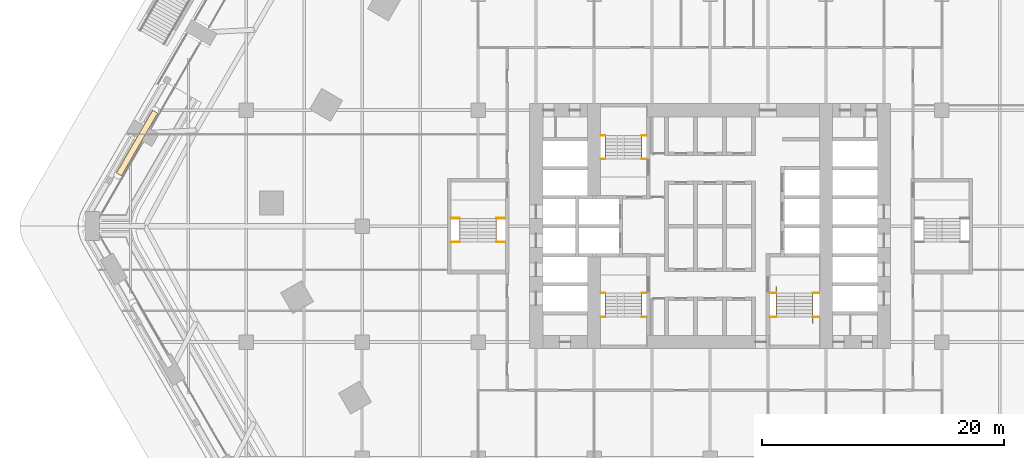
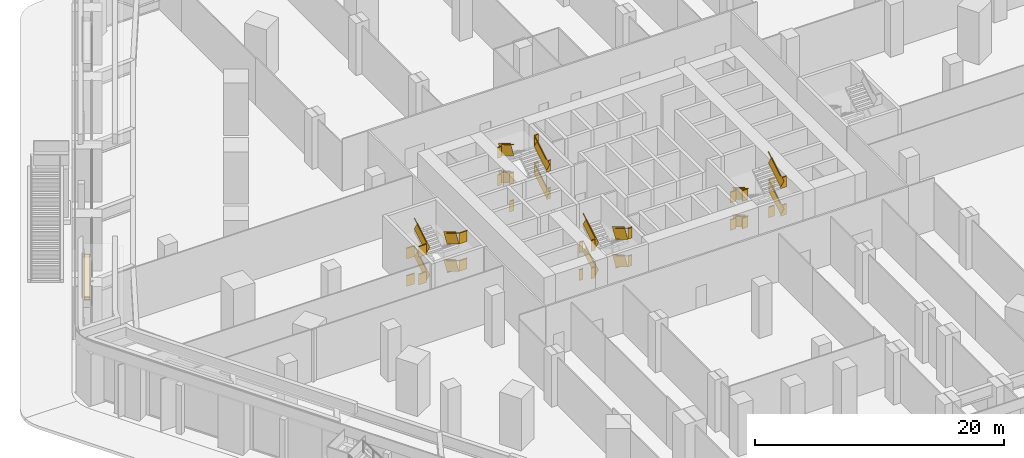
# One storey, part 30 of 34: 8 railings, 1 covering.
"""IFC4 building model written with IfcOpenShell, lengths in metres."""

from ifc_helpers import new_model, si_unit, direction, frame, frame_2d, origin, origin_2d, place, context, subcontext, project, spatial, polyline, rectangle, outline, extrude, material, layer, layer_set, type_object, element, save


model = new_model("IFC4")

# Units and contexts
model_context = context("Model", 3, precision=1e-05, world=origin(), true_north=direction((0.0, 1.0)))
body_context = subcontext(model_context, "Body", "Model", "MODEL_VIEW")
ifc_project = project(units=[si_unit("LENGTHUNIT", "METRE"), si_unit("AREAUNIT", "SQUARE_METRE"), si_unit("VOLUMEUNIT", "CUBIC_METRE"), si_unit("PLANEANGLEUNIT", "RADIAN"), si_unit("MASSUNIT", "GRAM", prefix="KILO")], contexts=[model_context])

# Site, building, storey
site_placement = place(None, origin())
site = spatial("IfcSite", under=ifc_project, at=site_placement, CompositionType="ELEMENT")
building_placement = place(site_placement, origin())
building = spatial("IfcBuilding", under=site, at=building_placement, Name="Kolab Exchange Tower", CompositionType="ELEMENT")
storey_placement = place(building_placement, frame((0.0, 0.0, 7.0)))
storey = spatial("IfcBuildingStorey", under=building, at=storey_placement, Name="L01", CompositionType="ELEMENT", Elevation=7.0)

# Railings
ifc_material_1 = material(Name="Stainless steel 316", Category="steel")
railing_type = type_object("IfcRailingType", Name="GUARD 1100", PredefinedType="GUARDRAIL", material=ifc_material_1)
railing_1_placement = place(storey_placement, frame((-9.050048828125, 5.550048828125, 0.0)))
element("IfcRailing", 1, at=railing_1_placement, inside=storey, type_object=railing_type, Name="Guard ST1", PredefinedType="GUARDRAIL", context=body_context, shape_type="SweptSolid", body=[
    extrude(rectangle(XDim=0.05, YDim=0.05, at=origin_2d()), frame((0.0, 0.0, 1.0751953125), z_axis=(1.0, 0.0, 0.0), x_axis=(0.0, 1.0, 0.0)), (0.0, 0.0, 1.0), 0.39013671875),
    extrude(rectangle(XDim=0.012, YDim=1.05009765625, at=frame_2d((0.0, 0.525146484375))), frame((0.0, 0.0, 0.0), z_axis=(1.0, 0.0, 0.0), x_axis=(0.0, 1.0, 0.0)), (0.0, 0.0, 1.0), 0.39013671875),
    extrude(rectangle(XDim=0.05, YDim=0.05, at=origin_2d()), frame((3.41015625, 0.0, 1.0751953125), z_axis=(1.0, 0.0, 0.0), x_axis=(0.0, 1.0, 0.0)), (0.0, 0.0, 1.0), 0.389892578125),
    extrude(rectangle(XDim=0.012, YDim=1.05009765625, at=frame_2d((0.0, 0.525146484375))), frame((3.41015625, 0.0, 0.0), z_axis=(1.0, 0.0, 0.0), x_axis=(0.0, 1.0, 0.0)), (0.0, 0.0, 1.0), 0.389892578125),
    extrude(rectangle(XDim=0.05, YDim=0.05, at=origin_2d()), frame((0.0, 1.9599609375, 2.42529296875), z_axis=(1.0, 0.0, 0.0), x_axis=(0.0, 1.0, 0.0)), (0.0, 0.0, 1.0), 0.39013671875),
    extrude(rectangle(XDim=0.012, YDim=1.05009765625, at=frame_2d((0.0, 0.525146484375))), frame((0.0, 1.9599609375, 1.35009765625), z_axis=(1.0, 0.0, 0.0), x_axis=(0.0, 1.0, 0.0)), (0.0, 0.0, 1.0), 0.39013671875),
    extrude(rectangle(XDim=0.05, YDim=0.05, at=origin_2d()), frame((3.41015625, 1.9599609375, 2.42529296875), z_axis=(1.0, 0.0, 0.0), x_axis=(0.0, 1.0, 0.0)), (0.0, 0.0, 1.0), 0.389892578125),
    extrude(rectangle(XDim=0.012, YDim=1.05009765625, at=frame_2d((0.0, 0.525146484375))), frame((3.41015625, 1.9599609375, 1.35009765625), z_axis=(1.0, 0.0, 0.0), x_axis=(0.0, 1.0, 0.0)), (0.0, 0.0, 1.0), 0.389892578125),
    extrude(rectangle(XDim=0.05, YDim=0.05, at=origin_2d()), frame((0.0, 0.0, 3.775146484375), z_axis=(1.0, 0.0, 0.0), x_axis=(0.0, 1.0, 0.0)), (0.0, 0.0, 1.0), 0.39013671875),
    extrude(rectangle(XDim=0.012, YDim=1.05009765625, at=frame_2d((0.0, 0.525146484375))), frame((0.0, 0.0, 2.699951171875), z_axis=(1.0, 0.0, 0.0), x_axis=(0.0, 1.0, 0.0)), (0.0, 0.0, 1.0), 0.39013671875),
    extrude(rectangle(XDim=0.05, YDim=0.05, at=origin_2d()), frame((3.41015625, 0.0, 3.775146484375), z_axis=(1.0, 0.0, 0.0), x_axis=(0.0, 1.0, 0.0)), (0.0, 0.0, 1.0), 0.389892578125),
    extrude(rectangle(XDim=0.012, YDim=1.05009765625, at=frame_2d((0.0, 0.525146484375))), frame((3.41015625, 0.0, 2.699951171875), z_axis=(1.0, 0.0, 0.0), x_axis=(0.0, 1.0, 0.0)), (0.0, 0.0, 1.0), 0.389892578125),
    extrude(rectangle(XDim=0.05, YDim=0.05, at=origin_2d()), frame((0.0, 1.9599609375, 5.125244140625), z_axis=(1.0, 0.0, 0.0), x_axis=(0.0, 1.0, 0.0)), (0.0, 0.0, 1.0), 0.39013671875),
    extrude(rectangle(XDim=0.012, YDim=1.05009765625, at=frame_2d((0.0, 0.525146484375))), frame((0.0, 1.9599609375, 4.050048828125), z_axis=(1.0, 0.0, 0.0), x_axis=(0.0, 1.0, 0.0)), (0.0, 0.0, 1.0), 0.39013671875),
    extrude(rectangle(XDim=0.05, YDim=0.05, at=origin_2d()), frame((3.41015625, 1.9599609375, 5.125244140625), z_axis=(1.0, 0.0, 0.0), x_axis=(0.0, 1.0, 0.0)), (0.0, 0.0, 1.0), 0.389892578125),
    extrude(rectangle(XDim=0.012, YDim=1.05009765625, at=frame_2d((0.0, 0.525146484375))), frame((3.41015625, 1.9599609375, 4.050048828125), z_axis=(1.0, 0.0, 0.0), x_axis=(0.0, 1.0, 0.0)), (0.0, 0.0, 1.0), 0.389892578125),
])
railing_2_placement = place(storey_placement, frame((-5.639892578125, 5.550048828125, 0.168701171875)))
element("IfcRailing", 2, at=railing_2_placement, inside=storey, type_object=railing_type, Name="Handrail guard ST1", PredefinedType="GUARDRAIL", context=body_context, shape_type="SweptSolid", body=[
    extrude(rectangle(XDim=0.05, YDim=0.05, at=origin_2d()), frame((0.0, 0.0, 1.0751953125), z_axis=(0.0, 0.856446297458, 0.516236127728), x_axis=(-1.0, 0.0, 0.0)), (0.0, 0.0, 1.0), 2.28857421875),
    extrude(rectangle(XDim=0.012, YDim=1.05009765625, at=frame_2d((0.0, 0.525146484375))), frame((0.0, 0.0, 0.0), z_axis=(0.0, 0.856446297458, 0.516236127728), x_axis=(-1.0, 0.0, 0.0)), (0.0, 0.0, 1.0), 2.28857421875),
    extrude(rectangle(XDim=0.05, YDim=0.05, at=origin_2d()), frame((-3.02001953125, 1.9599609375, 2.42529296875), z_axis=(0.0, -0.856493463811, 0.516157869696), x_axis=(1.0, 0.0, 0.0)), (0.0, 0.0, 1.0), 2.288330078125),
    extrude(rectangle(XDim=0.012, YDim=1.05009765625, at=frame_2d((0.0, 0.525146484375))), frame((-3.02001953125, 1.9599609375, 1.35009765625), z_axis=(0.0, -0.856493463811, 0.516157869696), x_axis=(1.0, 0.0, 0.0)), (0.0, 0.0, 1.0), 2.288330078125),
    extrude(rectangle(XDim=0.05, YDim=0.05, at=origin_2d()), frame((0.0, 0.0, 3.775146484375), z_axis=(0.0, 0.856446297458, 0.516236127728), x_axis=(-1.0, 0.0, 0.0)), (0.0, 0.0, 1.0), 2.28857421875),
    extrude(rectangle(XDim=0.012, YDim=1.05009765625, at=frame_2d((0.0, 0.525146484375))), frame((0.0, 0.0, 2.699951171875), z_axis=(0.0, 0.856446297458, 0.516236127728), x_axis=(-1.0, 0.0, 0.0)), (0.0, 0.0, 1.0), 2.28857421875),
    extrude(rectangle(XDim=0.05, YDim=0.05, at=origin_2d()), frame((-3.02001953125, 1.9599609375, 5.125244140625), z_axis=(0.0, -0.856493463811, 0.516157869696), x_axis=(1.0, 0.0, 0.0)), (0.0, 0.0, 1.0), 2.288330078125),
    extrude(rectangle(XDim=0.012, YDim=1.05009765625, at=frame_2d((0.0, 0.525146484375))), frame((-3.02001953125, 1.9599609375, 4.050048828125), z_axis=(0.0, -0.856493463811, 0.516157869696), x_axis=(1.0, 0.0, 0.0)), (0.0, 0.0, 1.0), 2.288330078125),
])
railing_3_placement = place(storey_placement, frame((-9.050048828125, -5.550048828125, 0.0)))
element("IfcRailing", 3, at=railing_3_placement, inside=storey, type_object=railing_type, Name="Guard ST3", PredefinedType="GUARDRAIL", context=body_context, shape_type="SweptSolid", body=[
    extrude(rectangle(XDim=0.05, YDim=0.05, at=origin_2d()), frame((0.0, 0.0, 1.0751953125), z_axis=(1.0, 0.0, 0.0), x_axis=(0.0, 1.0, 0.0)), (0.0, 0.0, 1.0), 0.39013671875),
    extrude(rectangle(XDim=0.012, YDim=1.05009765625, at=frame_2d((0.0, 0.525146484375))), frame((0.0, 0.0, 0.0), z_axis=(1.0, 0.0, 0.0), x_axis=(0.0, 1.0, 0.0)), (0.0, 0.0, 1.0), 0.39013671875),
    extrude(rectangle(XDim=0.05, YDim=0.05, at=origin_2d()), frame((3.41015625, 0.0, 1.0751953125), z_axis=(1.0, 0.0, 0.0), x_axis=(0.0, 1.0, 0.0)), (0.0, 0.0, 1.0), 0.389892578125),
    extrude(rectangle(XDim=0.012, YDim=1.05009765625, at=frame_2d((0.0, 0.525146484375))), frame((3.41015625, 0.0, 0.0), z_axis=(1.0, 0.0, 0.0), x_axis=(0.0, 1.0, 0.0)), (0.0, 0.0, 1.0), 0.389892578125),
    extrude(rectangle(XDim=0.05, YDim=0.05, at=origin_2d()), frame((0.0, -1.9599609375, 2.42529296875), z_axis=(1.0, 0.0, 0.0), x_axis=(0.0, 1.0, 0.0)), (0.0, 0.0, 1.0), 0.39013671875),
    extrude(rectangle(XDim=0.012, YDim=1.05009765625, at=frame_2d((0.0, 0.525146484375))), frame((0.0, -1.9599609375, 1.35009765625), z_axis=(1.0, 0.0, 0.0), x_axis=(0.0, 1.0, 0.0)), (0.0, 0.0, 1.0), 0.39013671875),
    extrude(rectangle(XDim=0.05, YDim=0.05, at=origin_2d()), frame((3.41015625, -1.9599609375, 2.42529296875), z_axis=(1.0, 0.0, 0.0), x_axis=(0.0, 1.0, 0.0)), (0.0, 0.0, 1.0), 0.389892578125),
    extrude(rectangle(XDim=0.012, YDim=1.05009765625, at=frame_2d((0.0, 0.525146484375))), frame((3.41015625, -1.9599609375, 1.35009765625), z_axis=(1.0, 0.0, 0.0), x_axis=(0.0, 1.0, 0.0)), (0.0, 0.0, 1.0), 0.389892578125),
    extrude(rectangle(XDim=0.05, YDim=0.05, at=origin_2d()), frame((0.0, 0.0, 3.775146484375), z_axis=(1.0, 0.0, 0.0), x_axis=(0.0, 1.0, 0.0)), (0.0, 0.0, 1.0), 0.39013671875),
    extrude(rectangle(XDim=0.012, YDim=1.05009765625, at=frame_2d((0.0, 0.525146484375))), frame((0.0, 0.0, 2.699951171875), z_axis=(1.0, 0.0, 0.0), x_axis=(0.0, 1.0, 0.0)), (0.0, 0.0, 1.0), 0.39013671875),
    extrude(rectangle(XDim=0.05, YDim=0.05, at=origin_2d()), frame((3.41015625, 0.0, 3.775146484375), z_axis=(1.0, 0.0, 0.0), x_axis=(0.0, 1.0, 0.0)), (0.0, 0.0, 1.0), 0.389892578125),
    extrude(rectangle(XDim=0.012, YDim=1.05009765625, at=frame_2d((0.0, 0.525146484375))), frame((3.41015625, 0.0, 2.699951171875), z_axis=(1.0, 0.0, 0.0), x_axis=(0.0, 1.0, 0.0)), (0.0, 0.0, 1.0), 0.389892578125),
    extrude(rectangle(XDim=0.05, YDim=0.05, at=origin_2d()), frame((0.0, -1.9599609375, 5.125244140625), z_axis=(1.0, 0.0, 0.0), x_axis=(0.0, 1.0, 0.0)), (0.0, 0.0, 1.0), 0.39013671875),
    extrude(rectangle(XDim=0.012, YDim=1.05009765625, at=frame_2d((0.0, 0.525146484375))), frame((0.0, -1.9599609375, 4.050048828125), z_axis=(1.0, 0.0, 0.0), x_axis=(0.0, 1.0, 0.0)), (0.0, 0.0, 1.0), 0.39013671875),
    extrude(rectangle(XDim=0.05, YDim=0.05, at=origin_2d()), frame((3.41015625, -1.9599609375, 5.125244140625), z_axis=(1.0, 0.0, 0.0), x_axis=(0.0, 1.0, 0.0)), (0.0, 0.0, 1.0), 0.389892578125),
    extrude(rectangle(XDim=0.012, YDim=1.05009765625, at=frame_2d((0.0, 0.525146484375))), frame((3.41015625, -1.9599609375, 4.050048828125), z_axis=(1.0, 0.0, 0.0), x_axis=(0.0, 1.0, 0.0)), (0.0, 0.0, 1.0), 0.389892578125),
])
railing_4_placement = place(storey_placement, frame((-5.639892578125, -5.550048828125, 0.168701171875)))
element("IfcRailing", 4, at=railing_4_placement, inside=storey, type_object=railing_type, Name="Handrail guard ST3", PredefinedType="GUARDRAIL", context=body_context, shape_type="SweptSolid", body=[
    extrude(rectangle(XDim=0.05, YDim=0.05, at=origin_2d()), frame((0.0, 0.0, 1.0751953125), z_axis=(0.0, -0.856446297458, 0.516236127728), x_axis=(1.0, 0.0, 0.0)), (0.0, 0.0, 1.0), 2.28857421875),
    extrude(rectangle(XDim=0.012, YDim=1.05009765625, at=frame_2d((0.0, 0.525146484375))), frame((0.0, 0.0, 0.0), z_axis=(0.0, -0.856446297458, 0.516236127728), x_axis=(1.0, 0.0, 0.0)), (0.0, 0.0, 1.0), 2.28857421875),
    extrude(rectangle(XDim=0.05, YDim=0.05, at=origin_2d()), frame((-3.02001953125, -1.9599609375, 2.42529296875), z_axis=(0.0, 0.856493463811, 0.516157869696), x_axis=(-1.0, 0.0, 0.0)), (0.0, 0.0, 1.0), 2.288330078125),
    extrude(rectangle(XDim=0.012, YDim=1.05009765625, at=frame_2d((0.0, 0.525146484375))), frame((-3.02001953125, -1.9599609375, 1.35009765625), z_axis=(0.0, 0.856493463811, 0.516157869696), x_axis=(-1.0, 0.0, 0.0)), (0.0, 0.0, 1.0), 2.288330078125),
    extrude(rectangle(XDim=0.05, YDim=0.05, at=origin_2d()), frame((0.0, 0.0, 3.775146484375), z_axis=(0.0, -0.856446297458, 0.516236127728), x_axis=(1.0, 0.0, 0.0)), (0.0, 0.0, 1.0), 2.28857421875),
    extrude(rectangle(XDim=0.012, YDim=1.05009765625, at=frame_2d((0.0, 0.525146484375))), frame((0.0, 0.0, 2.699951171875), z_axis=(0.0, -0.856446297458, 0.516236127728), x_axis=(1.0, 0.0, 0.0)), (0.0, 0.0, 1.0), 2.28857421875),
    extrude(rectangle(XDim=0.05, YDim=0.05, at=origin_2d()), frame((-3.02001953125, -1.9599609375, 5.125244140625), z_axis=(0.0, 0.856493463811, 0.516157869696), x_axis=(-1.0, 0.0, 0.0)), (0.0, 0.0, 1.0), 2.288330078125),
    extrude(rectangle(XDim=0.012, YDim=1.05009765625, at=frame_2d((0.0, 0.525146484375))), frame((-3.02001953125, -1.9599609375, 4.050048828125), z_axis=(0.0, 0.856493463811, 0.516157869696), x_axis=(-1.0, 0.0, 0.0)), (0.0, 0.0, 1.0), 2.288330078125),
])
railing_5_placement = place(storey_placement, frame((4.949951171875, -5.550048828125, 0.0)))
element("IfcRailing", 5, at=railing_5_placement, inside=storey, type_object=railing_type, Name="Guard ST2", PredefinedType="GUARDRAIL", context=body_context, shape_type="SweptSolid", body=[
    extrude(rectangle(XDim=0.05, YDim=0.05, at=origin_2d()), frame((0.0, 0.0, 1.0751953125), z_axis=(1.0, 0.0, 0.0), x_axis=(0.0, 1.0, 0.0)), (0.0, 0.0, 1.0), 0.5400390625),
    extrude(rectangle(XDim=0.012, YDim=1.05009765625, at=frame_2d((0.0, 0.525146484375))), frame((0.0, 0.0, 0.0), z_axis=(1.0, 0.0, 0.0), x_axis=(0.0, 1.0, 0.0)), (0.0, 0.0, 1.0), 0.5400390625),
    extrude(rectangle(XDim=0.05, YDim=0.05, at=origin_2d()), frame((3.56005859375, 0.0, 1.0751953125), z_axis=(1.0, 0.0, 0.0), x_axis=(0.0, 1.0, 0.0)), (0.0, 0.0, 1.0), 0.5400390625),
    extrude(rectangle(XDim=0.012, YDim=1.05009765625, at=frame_2d((0.0, 0.525146484375))), frame((3.56005859375, 0.0, 0.0), z_axis=(1.0, 0.0, 0.0), x_axis=(0.0, 1.0, 0.0)), (0.0, 0.0, 1.0), 0.5400390625),
    extrude(rectangle(XDim=0.05, YDim=0.05, at=origin_2d()), frame((0.0, -1.9599609375, 2.42529296875), z_axis=(1.0, 0.0, 0.0), x_axis=(0.0, 1.0, 0.0)), (0.0, 0.0, 1.0), 0.5400390625),
    extrude(rectangle(XDim=0.012, YDim=1.05009765625, at=frame_2d((0.0, 0.525146484375))), frame((0.0, -1.9599609375, 1.35009765625), z_axis=(1.0, 0.0, 0.0), x_axis=(0.0, 1.0, 0.0)), (0.0, 0.0, 1.0), 0.5400390625),
    extrude(rectangle(XDim=0.05, YDim=0.05, at=origin_2d()), frame((3.56005859375, -1.9599609375, 2.42529296875), z_axis=(1.0, 0.0, 0.0), x_axis=(0.0, 1.0, 0.0)), (0.0, 0.0, 1.0), 0.5400390625),
    extrude(rectangle(XDim=0.012, YDim=1.05009765625, at=frame_2d((0.0, 0.525146484375))), frame((3.56005859375, -1.9599609375, 1.35009765625), z_axis=(1.0, 0.0, 0.0), x_axis=(0.0, 1.0, 0.0)), (0.0, 0.0, 1.0), 0.5400390625),
    extrude(rectangle(XDim=0.05, YDim=0.05, at=origin_2d()), frame((0.0, 0.0, 3.775146484375), z_axis=(1.0, 0.0, 0.0), x_axis=(0.0, 1.0, 0.0)), (0.0, 0.0, 1.0), 0.5400390625),
    extrude(rectangle(XDim=0.012, YDim=1.05009765625, at=frame_2d((0.0, 0.525146484375))), frame((0.0, 0.0, 2.699951171875), z_axis=(1.0, 0.0, 0.0), x_axis=(0.0, 1.0, 0.0)), (0.0, 0.0, 1.0), 0.5400390625),
    extrude(rectangle(XDim=0.05, YDim=0.05, at=origin_2d()), frame((3.56005859375, 0.0, 3.775146484375), z_axis=(1.0, 0.0, 0.0), x_axis=(0.0, 1.0, 0.0)), (0.0, 0.0, 1.0), 0.5400390625),
    extrude(rectangle(XDim=0.012, YDim=1.05009765625, at=frame_2d((0.0, 0.525146484375))), frame((3.56005859375, 0.0, 2.699951171875), z_axis=(1.0, 0.0, 0.0), x_axis=(0.0, 1.0, 0.0)), (0.0, 0.0, 1.0), 0.5400390625),
    extrude(rectangle(XDim=0.05, YDim=0.05, at=origin_2d()), frame((0.0, -1.9599609375, 5.125244140625), z_axis=(1.0, 0.0, 0.0), x_axis=(0.0, 1.0, 0.0)), (0.0, 0.0, 1.0), 0.5400390625),
    extrude(rectangle(XDim=0.012, YDim=1.05009765625, at=frame_2d((0.0, 0.525146484375))), frame((0.0, -1.9599609375, 4.050048828125), z_axis=(1.0, 0.0, 0.0), x_axis=(0.0, 1.0, 0.0)), (0.0, 0.0, 1.0), 0.5400390625),
    extrude(rectangle(XDim=0.05, YDim=0.05, at=origin_2d()), frame((3.56005859375, -1.9599609375, 5.125244140625), z_axis=(1.0, 0.0, 0.0), x_axis=(0.0, 1.0, 0.0)), (0.0, 0.0, 1.0), 0.5400390625),
    extrude(rectangle(XDim=0.012, YDim=1.05009765625, at=frame_2d((0.0, 0.525146484375))), frame((3.56005859375, -1.9599609375, 4.050048828125), z_axis=(1.0, 0.0, 0.0), x_axis=(0.0, 1.0, 0.0)), (0.0, 0.0, 1.0), 0.5400390625),
])
railing_6_placement = place(storey_placement, frame((5.489990234375, -5.550048828125, 0.168701171875)))
element("IfcRailing", 6, at=railing_6_placement, inside=storey, type_object=railing_type, Name="Handrail guard ST2", PredefinedType="GUARDRAIL", context=body_context, shape_type="SweptSolid", body=[
    extrude(rectangle(XDim=0.05, YDim=0.05, at=origin_2d()), frame((0.0, 0.0, 1.0751953125), z_axis=(0.0, -0.856446297458, 0.516236127728), x_axis=(1.0, 0.0, 0.0)), (0.0, 0.0, 1.0), 2.28857421875),
    extrude(rectangle(XDim=0.012, YDim=1.05009765625, at=frame_2d((0.0, 0.525146484375))), frame((0.0, 0.0, 0.0), z_axis=(0.0, -0.856446297458, 0.516236127728), x_axis=(1.0, 0.0, 0.0)), (0.0, 0.0, 1.0), 2.28857421875),
    extrude(rectangle(XDim=0.05, YDim=0.05, at=origin_2d()), frame((3.02001953125, -1.9599609375, 2.42529296875), z_axis=(0.0, 0.856493463811, 0.516157869696), x_axis=(-1.0, 0.0, 0.0)), (0.0, 0.0, 1.0), 2.288330078125),
    extrude(rectangle(XDim=0.012, YDim=1.05009765625, at=frame_2d((0.0, 0.525146484375))), frame((3.02001953125, -1.9599609375, 1.35009765625), z_axis=(0.0, 0.856493463811, 0.516157869696), x_axis=(-1.0, 0.0, 0.0)), (0.0, 0.0, 1.0), 2.288330078125),
    extrude(rectangle(XDim=0.05, YDim=0.05, at=origin_2d()), frame((0.0, 0.0, 3.775146484375), z_axis=(0.0, -0.856446297458, 0.516236127728), x_axis=(1.0, 0.0, 0.0)), (0.0, 0.0, 1.0), 2.28857421875),
    extrude(rectangle(XDim=0.012, YDim=1.05009765625, at=frame_2d((0.0, 0.525146484375))), frame((0.0, 0.0, 2.699951171875), z_axis=(0.0, -0.856446297458, 0.516236127728), x_axis=(1.0, 0.0, 0.0)), (0.0, 0.0, 1.0), 2.28857421875),
    extrude(rectangle(XDim=0.05, YDim=0.05, at=origin_2d()), frame((3.02001953125, -1.9599609375, 5.125244140625), z_axis=(0.0, 0.856493463811, 0.516157869696), x_axis=(-1.0, 0.0, 0.0)), (0.0, 0.0, 1.0), 2.288330078125),
    extrude(rectangle(XDim=0.012, YDim=1.05009765625, at=frame_2d((0.0, 0.525146484375))), frame((3.02001953125, -1.9599609375, 4.050048828125), z_axis=(0.0, 0.856493463811, 0.516157869696), x_axis=(-1.0, 0.0, 0.0)), (0.0, 0.0, 1.0), 2.288330078125),
])
railing_7_placement = place(storey_placement, frame((-21.449951171875, 0.64990234375, 0.0)))
element("IfcRailing", 7, at=railing_7_placement, inside=storey, type_object=railing_type, Name="Guard ST5", PredefinedType="GUARDRAIL", context=body_context, shape_type="SweptSolid", body=[
    extrude(rectangle(XDim=0.05, YDim=0.05, at=origin_2d()), frame((0.0, 0.0, 1.0751953125), z_axis=(1.0, 0.0, 0.0), x_axis=(0.0, 1.0, 0.0)), (0.0, 0.0, 1.0), 0.739990234375),
    extrude(rectangle(XDim=0.012, YDim=1.05009765625, at=frame_2d((0.0, 0.525146484375))), frame((0.0, 0.0, 0.0), z_axis=(1.0, 0.0, 0.0), x_axis=(0.0, 1.0, 0.0)), (0.0, 0.0, 1.0), 0.739990234375),
    extrude(rectangle(XDim=0.05, YDim=0.05, at=origin_2d()), frame((3.760009765625, 0.0, 1.0751953125), z_axis=(1.0, 0.0, 0.0), x_axis=(0.0, 1.0, 0.0)), (0.0, 0.0, 1.0), 0.739990234375),
    extrude(rectangle(XDim=0.012, YDim=1.05009765625, at=frame_2d((0.0, 0.525146484375))), frame((3.760009765625, 0.0, 0.0), z_axis=(1.0, 0.0, 0.0), x_axis=(0.0, 1.0, 0.0)), (0.0, 0.0, 1.0), 0.739990234375),
    extrude(rectangle(XDim=0.05, YDim=0.05, at=origin_2d()), frame((0.0, -1.9599609375, 2.42529296875), z_axis=(1.0, 0.0, 0.0), x_axis=(0.0, 1.0, 0.0)), (0.0, 0.0, 1.0), 0.739990234375),
    extrude(rectangle(XDim=0.012, YDim=1.05009765625, at=frame_2d((0.0, 0.525146484375))), frame((0.0, -1.9599609375, 1.35009765625), z_axis=(1.0, 0.0, 0.0), x_axis=(0.0, 1.0, 0.0)), (0.0, 0.0, 1.0), 0.739990234375),
    extrude(rectangle(XDim=0.05, YDim=0.05, at=origin_2d()), frame((3.760009765625, -1.9599609375, 2.42529296875), z_axis=(1.0, 0.0, 0.0), x_axis=(0.0, 1.0, 0.0)), (0.0, 0.0, 1.0), 0.739990234375),
    extrude(rectangle(XDim=0.012, YDim=1.05009765625, at=frame_2d((0.0, 0.525146484375))), frame((3.760009765625, -1.9599609375, 1.35009765625), z_axis=(1.0, 0.0, 0.0), x_axis=(0.0, 1.0, 0.0)), (0.0, 0.0, 1.0), 0.739990234375),
    extrude(rectangle(XDim=0.05, YDim=0.05, at=origin_2d()), frame((0.0, 0.0, 3.775146484375), z_axis=(1.0, 0.0, 0.0), x_axis=(0.0, 1.0, 0.0)), (0.0, 0.0, 1.0), 0.739990234375),
    extrude(rectangle(XDim=0.012, YDim=1.05009765625, at=frame_2d((0.0, 0.525146484375))), frame((0.0, 0.0, 2.699951171875), z_axis=(1.0, 0.0, 0.0), x_axis=(0.0, 1.0, 0.0)), (0.0, 0.0, 1.0), 0.739990234375),
    extrude(rectangle(XDim=0.05, YDim=0.05, at=origin_2d()), frame((3.760009765625, 0.0, 3.775146484375), z_axis=(1.0, 0.0, 0.0), x_axis=(0.0, 1.0, 0.0)), (0.0, 0.0, 1.0), 0.739990234375),
    extrude(rectangle(XDim=0.012, YDim=1.05009765625, at=frame_2d((0.0, 0.525146484375))), frame((3.760009765625, 0.0, 2.699951171875), z_axis=(1.0, 0.0, 0.0), x_axis=(0.0, 1.0, 0.0)), (0.0, 0.0, 1.0), 0.739990234375),
    extrude(rectangle(XDim=0.05, YDim=0.05, at=origin_2d()), frame((0.0, -1.9599609375, 5.125244140625), z_axis=(1.0, 0.0, 0.0), x_axis=(0.0, 1.0, 0.0)), (0.0, 0.0, 1.0), 0.739990234375),
    extrude(rectangle(XDim=0.012, YDim=1.05009765625, at=frame_2d((0.0, 0.525146484375))), frame((0.0, -1.9599609375, 4.050048828125), z_axis=(1.0, 0.0, 0.0), x_axis=(0.0, 1.0, 0.0)), (0.0, 0.0, 1.0), 0.739990234375),
    extrude(rectangle(XDim=0.05, YDim=0.05, at=origin_2d()), frame((3.760009765625, -1.9599609375, 5.125244140625), z_axis=(1.0, 0.0, 0.0), x_axis=(0.0, 1.0, 0.0)), (0.0, 0.0, 1.0), 0.739990234375),
    extrude(rectangle(XDim=0.012, YDim=1.05009765625, at=frame_2d((0.0, 0.525146484375))), frame((3.760009765625, -1.9599609375, 4.050048828125), z_axis=(1.0, 0.0, 0.0), x_axis=(0.0, 1.0, 0.0)), (0.0, 0.0, 1.0), 0.739990234375),
])
railing_8_placement = place(storey_placement, frame((-17.68994140625, 0.64990234375, 0.168701171875)))
element("IfcRailing", 8, at=railing_8_placement, inside=storey, type_object=railing_type, Name="Handrail guard ST5", PredefinedType="GUARDRAIL", context=body_context, shape_type="SweptSolid", body=[
    extrude(rectangle(XDim=0.05, YDim=0.05, at=origin_2d()), frame((0.0, 0.0, 1.0751953125), z_axis=(0.0, -0.856446297458, 0.516236127728), x_axis=(1.0, 0.0, 0.0)), (0.0, 0.0, 1.0), 2.28857421875),
    extrude(rectangle(XDim=0.012, YDim=1.05009765625, at=frame_2d((0.0, 0.525146484375))), frame((0.0, 0.0, 0.0), z_axis=(0.0, -0.856446297458, 0.516236127728), x_axis=(1.0, 0.0, 0.0)), (0.0, 0.0, 1.0), 2.28857421875),
    extrude(rectangle(XDim=0.05, YDim=0.05, at=origin_2d()), frame((-3.02001953125, -1.9599609375, 2.42529296875), z_axis=(0.0, 0.856493463811, 0.516157869696), x_axis=(-1.0, 0.0, 0.0)), (0.0, 0.0, 1.0), 2.288330078125),
    extrude(rectangle(XDim=0.012, YDim=1.05009765625, at=frame_2d((0.0, 0.525146484375))), frame((-3.02001953125, -1.9599609375, 1.35009765625), z_axis=(0.0, 0.856493463811, 0.516157869696), x_axis=(-1.0, 0.0, 0.0)), (0.0, 0.0, 1.0), 2.288330078125),
    extrude(rectangle(XDim=0.05, YDim=0.05, at=origin_2d()), frame((0.0, 0.0, 3.775146484375), z_axis=(0.0, -0.856446297458, 0.516236127728), x_axis=(1.0, 0.0, 0.0)), (0.0, 0.0, 1.0), 2.28857421875),
    extrude(rectangle(XDim=0.012, YDim=1.05009765625, at=frame_2d((0.0, 0.525146484375))), frame((0.0, 0.0, 2.699951171875), z_axis=(0.0, -0.856446297458, 0.516236127728), x_axis=(1.0, 0.0, 0.0)), (0.0, 0.0, 1.0), 2.28857421875),
    extrude(rectangle(XDim=0.05, YDim=0.05, at=origin_2d()), frame((-3.02001953125, -1.9599609375, 5.125244140625), z_axis=(0.0, 0.856493463811, 0.516157869696), x_axis=(-1.0, 0.0, 0.0)), (0.0, 0.0, 1.0), 2.288330078125),
    extrude(rectangle(XDim=0.012, YDim=1.05009765625, at=frame_2d((0.0, 0.525146484375))), frame((-3.02001953125, -1.9599609375, 4.050048828125), z_axis=(0.0, 0.856493463811, 0.516157869696), x_axis=(-1.0, 0.0, 0.0)), (0.0, 0.0, 1.0), 2.288330078125),
])

# Covering
ifc_material_2 = material(Name="Planting soil and turf", Category="soil")
ifc_layer = layer(ifc_material_2, 0.25)
ifc_layer_set = layer_set([ifc_layer], Name="Planting soil and turf")
covering_type = type_object("IfcCoveringType", Name="PLANTING SOIL AND TURF 250", PredefinedType="USERDEFINED", material=ifc_layer_set)
covering_placement = place(storey_placement, frame((0.0, 0.0, 6.10009765625)))
element("IfcCovering", 9, at=covering_placement, inside=storey, type_object=covering_type, Name="Planting soil and turf", ObjectType="PLANTING", PredefinedType="USERDEFINED", context=body_context, shape_type="SweptSolid", body=[
    extrude(outline(polyline([(-46.149169921875, 9.599853515625), (-45.7333984375, 9.359619140625), (-48.7333984375, 4.16357421875), (-49.149169921875, 4.403564453125), (-46.149169921875, 9.599853515625)])), origin(), (0.0, 0.0, 1.0), 0.2998046875),
])

save(model, "model.ifc")
